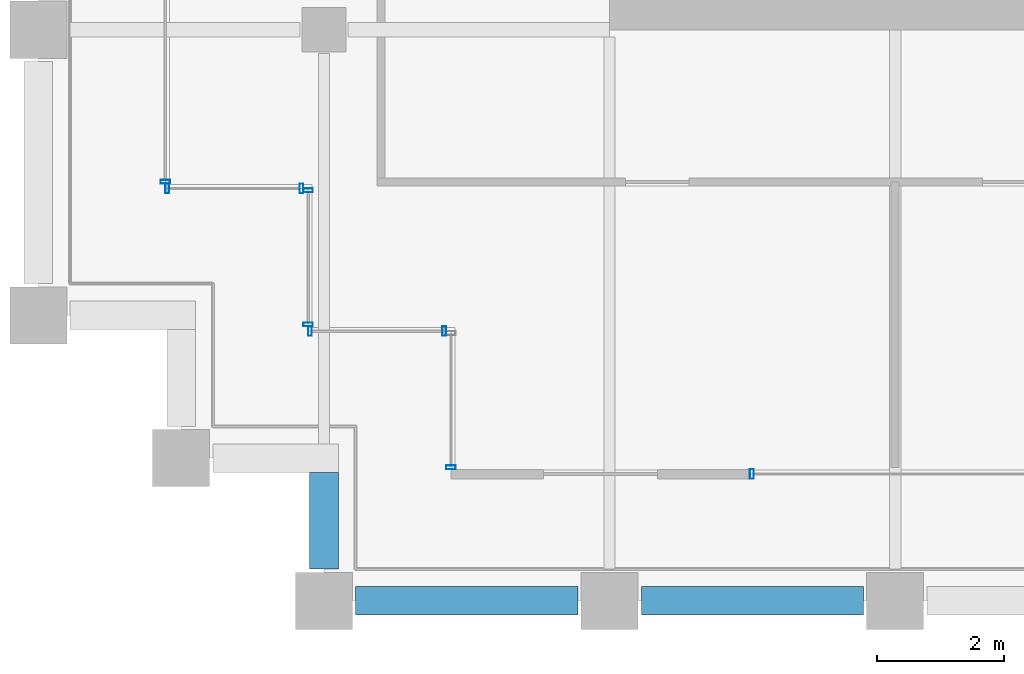
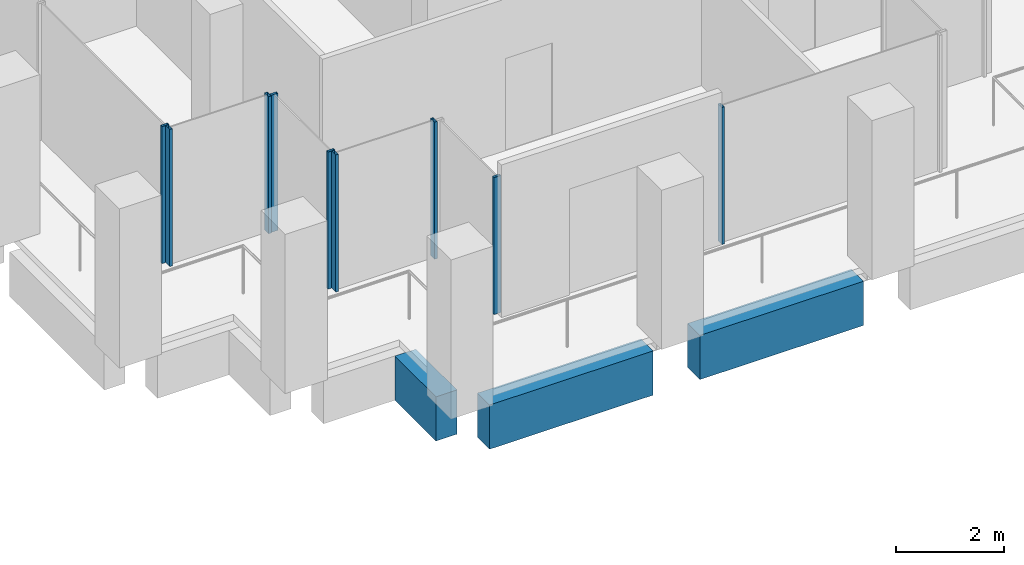
# One storey, part 28 of 44: 9 members, 3 beams, 6 elements without a shape of their own.
"""IFC4 building model written with IfcOpenShell, lengths in metres."""

from ifc_helpers import new_model, si_unit, direction, frame, origin, origin_2d, place, context, subcontext, project, spatial, rectangle, hollow_rectangle, extrude, material, material_profile, profile_set, type_object, element, aggregate, save


model = new_model("IFC4")

# Units and contexts
model_context = context("Model", 3, precision=1e-05, world=origin(), true_north=direction((0.0, 1.0)))
body_context = subcontext(model_context, "Body", "Model", "MODEL_VIEW")
ifc_project = project(units=[si_unit("LENGTHUNIT", "METRE"), si_unit("AREAUNIT", "SQUARE_METRE"), si_unit("VOLUMEUNIT", "CUBIC_METRE"), si_unit("PLANEANGLEUNIT", "RADIAN"), si_unit("MASSUNIT", "GRAM", prefix="KILO")], contexts=[model_context])

# Site, building, storey
site_placement = place(None, origin())
site = spatial("IfcSite", under=ifc_project, at=site_placement, CompositionType="ELEMENT")
building_placement = place(site_placement, origin())
building = spatial("IfcBuilding", under=site, at=building_placement, Name="Altepetl Exchange Towers", CompositionType="ELEMENT")
storey_placement = place(building_placement, frame((0.0, 0.0, 143.800048828125)))
storey = spatial("IfcBuildingStorey", under=building, at=storey_placement, Name="L35", CompositionType="ELEMENT", Elevation=143.800048828125)

# Curtain wall, member
ifc_material_1 = material(Name="Aluminium 6063-T6 glazing", Category="aluminium")
curtain_wall_type = type_object("IfcCurtainWallType", Name="Loggia glazing system", PredefinedType="NOTDEFINED", material=ifc_material_1)
curtain_wall_1_placement = place(storey_placement, origin())
curtain_wall_1 = element("IfcCurtainWall", 1, at=curtain_wall_1_placement, inside=storey, type_object=curtain_wall_type, Name="CW1 run", PredefinedType="NOTDEFINED")
ifc_material_2 = material(Name="Aluminium 6063-T6", Category="aluminium")
ifc_material_profile_1 = material_profile(ifc_material_2, hollow_rectangle(XDim=0.06005859375, YDim=0.14990234375, WallThickness=0.0029296875, at=origin_2d()), Name="Mullion 60x150 aluminium")
ifc_profile_set_1 = profile_set([ifc_material_profile_1], Name="Aluminium 6063-T6")
member_type = type_object("IfcMemberType", Name="Mullion 60x150 aluminium", PredefinedType="MULLION", material=ifc_profile_set_1)
member_1_placement = place(storey_placement, frame((101.0, 29.10498046875, 0.0), z_axis=(0.0, 0.0, 1.0), x_axis=(0.0, -1.0, 0.0)))
member_1 = element("IfcMember", 2, at=member_1_placement, type_object=member_type, Name="MU1 mullion", PredefinedType="MULLION", context=body_context, shape_type="SweptSolid", body=[
    extrude(hollow_rectangle(XDim=0.06005859375, YDim=0.14990234375, WallThickness=0.0029296875, at=origin_2d()), origin(), (0.0, 0.0, 1.0), 3.099853515625),
])
aggregate(curtain_wall_1, [member_1])

curtain_wall_2_placement = place(storey_placement, origin())
curtain_wall_2 = element("IfcCurtainWall", 3, at=curtain_wall_2_placement, inside=storey, type_object=curtain_wall_type, Name="CW1 run", PredefinedType="NOTDEFINED")
member_2_placement = place(storey_placement, frame((105.742431640625, 29.0, 0.0)))
member_2 = element("IfcMember", 4, at=member_2_placement, type_object=member_type, Name="MU1 mullion", PredefinedType="MULLION", context=body_context, shape_type="SweptSolid", body=[
    extrude(hollow_rectangle(XDim=0.06005859375, YDim=0.14990234375, WallThickness=0.0029296875, at=origin_2d()), origin(), (0.0, 0.0, 1.0), 3.099853515625),
])
aggregate(curtain_wall_2, [member_2])

curtain_wall_3_placement = place(storey_placement, origin())
curtain_wall_3 = element("IfcCurtainWall", 5, at=curtain_wall_3_placement, inside=storey, type_object=curtain_wall_type, Name="CW1 run", PredefinedType="NOTDEFINED")
member_3_placement = place(storey_placement, frame((96.5, 33.60498046875, 0.0), z_axis=(0.0, 0.0, 1.0), x_axis=(0.0, -1.0, 0.0)))
member_3 = element("IfcMember", 6, at=member_3_placement, type_object=member_type, Name="MU1 mullion", PredefinedType="MULLION", context=body_context, shape_type="SweptSolid", body=[
    extrude(hollow_rectangle(XDim=0.06005859375, YDim=0.14990234375, WallThickness=0.0029296875, at=origin_2d()), origin(), (0.0, 0.0, 1.0), 3.099853515625),
])
aggregate(curtain_wall_3, [member_3])

# Curtain wall, members
curtain_wall_4_placement = place(storey_placement, origin())
curtain_wall_4 = element("IfcCurtainWall", 7, at=curtain_wall_4_placement, inside=storey, type_object=curtain_wall_type, Name="CW1 run", PredefinedType="NOTDEFINED")
member_4_placement = place(storey_placement, frame((96.530029296875, 33.5, 0.0)))
member_4 = element("IfcMember", 8, at=member_4_placement, type_object=member_type, Name="MU1 mullion", PredefinedType="MULLION", context=body_context, shape_type="SweptSolid", body=[
    extrude(hollow_rectangle(XDim=0.06005859375, YDim=0.14990234375, WallThickness=0.0029296875, at=origin_2d()), origin(), (0.0, 0.0, 1.0), 3.099853515625),
])
member_5_placement = place(storey_placement, frame((98.64501953125, 33.5, 0.0)))
member_5 = element("IfcMember", 9, at=member_5_placement, type_object=member_type, Name="MU1 mullion", PredefinedType="MULLION", context=body_context, shape_type="SweptSolid", body=[
    extrude(hollow_rectangle(XDim=0.06005859375, YDim=0.14990234375, WallThickness=0.0029296875, at=origin_2d()), origin(), (0.0, 0.0, 1.0), 3.099853515625),
])
aggregate(curtain_wall_4, [member_4, member_5])

curtain_wall_5_placement = place(storey_placement, origin())
curtain_wall_5 = element("IfcCurtainWall", 10, at=curtain_wall_5_placement, inside=storey, type_object=curtain_wall_type, Name="CW1 run", PredefinedType="NOTDEFINED")
member_6_placement = place(storey_placement, frame((98.75, 33.469970703125, 0.0), z_axis=(0.0, 0.0, 1.0), x_axis=(0.0, -1.0, 0.0)))
member_6 = element("IfcMember", 11, at=member_6_placement, type_object=member_type, Name="MU1 mullion", PredefinedType="MULLION", context=body_context, shape_type="SweptSolid", body=[
    extrude(hollow_rectangle(XDim=0.06005859375, YDim=0.14990234375, WallThickness=0.0029296875, at=origin_2d()), origin(), (0.0, 0.0, 1.0), 3.099853515625),
])
member_7_placement = place(storey_placement, frame((98.75, 31.35498046875, 0.0), z_axis=(0.0, 0.0, 1.0), x_axis=(0.0, -1.0, 0.0)))
member_7 = element("IfcMember", 12, at=member_7_placement, type_object=member_type, Name="MU1 mullion", PredefinedType="MULLION", context=body_context, shape_type="SweptSolid", body=[
    extrude(hollow_rectangle(XDim=0.06005859375, YDim=0.14990234375, WallThickness=0.0029296875, at=origin_2d()), origin(), (0.0, 0.0, 1.0), 3.099853515625),
])
aggregate(curtain_wall_5, [member_6, member_7])

curtain_wall_6_placement = place(storey_placement, origin())
curtain_wall_6 = element("IfcCurtainWall", 13, at=curtain_wall_6_placement, inside=storey, type_object=curtain_wall_type, Name="CW1 run", PredefinedType="NOTDEFINED")
member_8_placement = place(storey_placement, frame((98.780029296875, 31.25, 0.0)))
member_8 = element("IfcMember", 14, at=member_8_placement, type_object=member_type, Name="MU1 mullion", PredefinedType="MULLION", context=body_context, shape_type="SweptSolid", body=[
    extrude(hollow_rectangle(XDim=0.06005859375, YDim=0.14990234375, WallThickness=0.0029296875, at=origin_2d()), origin(), (0.0, 0.0, 1.0), 3.099853515625),
])
member_9_placement = place(storey_placement, frame((100.89501953125, 31.25, 0.0)))
member_9 = element("IfcMember", 15, at=member_9_placement, type_object=member_type, Name="MU1 mullion", PredefinedType="MULLION", context=body_context, shape_type="SweptSolid", body=[
    extrude(hollow_rectangle(XDim=0.06005859375, YDim=0.14990234375, WallThickness=0.0029296875, at=origin_2d()), origin(), (0.0, 0.0, 1.0), 3.099853515625),
])
aggregate(curtain_wall_6, [member_8, member_9])

# Beams
ifc_material_3 = material(Name="Concrete C50/60 precast with tezontle facing", Category="concrete")
ifc_material_profile_2 = material_profile(ifc_material_3, rectangle(XDim=0.449951171875, YDim=1.0, at=origin_2d()), Name="450 x 1000")
ifc_profile_set_2 = profile_set([ifc_material_profile_2], Name="Concrete C50/60 precast with tezontle facing")
beam_type = type_object("IfcBeamType", Name="Spandrel beam 450x1000 tezontle", PredefinedType="SPANDREL", material=ifc_profile_set_2)
for number, where, z_axis, x_axis, name in (
    (16, (99.5, 27.0, -0.650146484375), (1.0, 0.0, 0.0), (0.0, 1.0, 0.0), "sp:B:L35:000"),
    (17, (104.0, 27.0, -0.650146484375), (1.0, 0.0, 0.0), (0.0, 1.0, 0.0), "sp:B:L35:001"),
):
    element("IfcBeam", number, at=place(storey_placement, frame(where, z_axis=z_axis, x_axis=x_axis)), inside=storey, type_object=beam_type, Name=name, PredefinedType="SPANDREL", context=body_context, shape_type="SweptSolid", body=[
        extrude(rectangle(XDim=0.449951171875, YDim=1.0, at=origin_2d()), origin(), (0.0, 0.0, 1.0), 3.5),
    ])
beam_placement = place(storey_placement, frame((99.0, 29.02490234375, -0.650146484375), z_axis=(0.0, -1.0, 0.0), x_axis=(1.0, 0.0, 0.0)))
element("IfcBeam", 18, at=beam_placement, inside=storey, type_object=beam_type, Name="sp:B:L35:023", PredefinedType="SPANDREL", context=body_context, shape_type="SweptSolid", body=[
    extrude(rectangle(XDim=0.449951171875, YDim=1.0, at=origin_2d()), origin(), (0.0, 0.0, 1.0), 1.52490234375),
])

save(model, "model.ifc")
